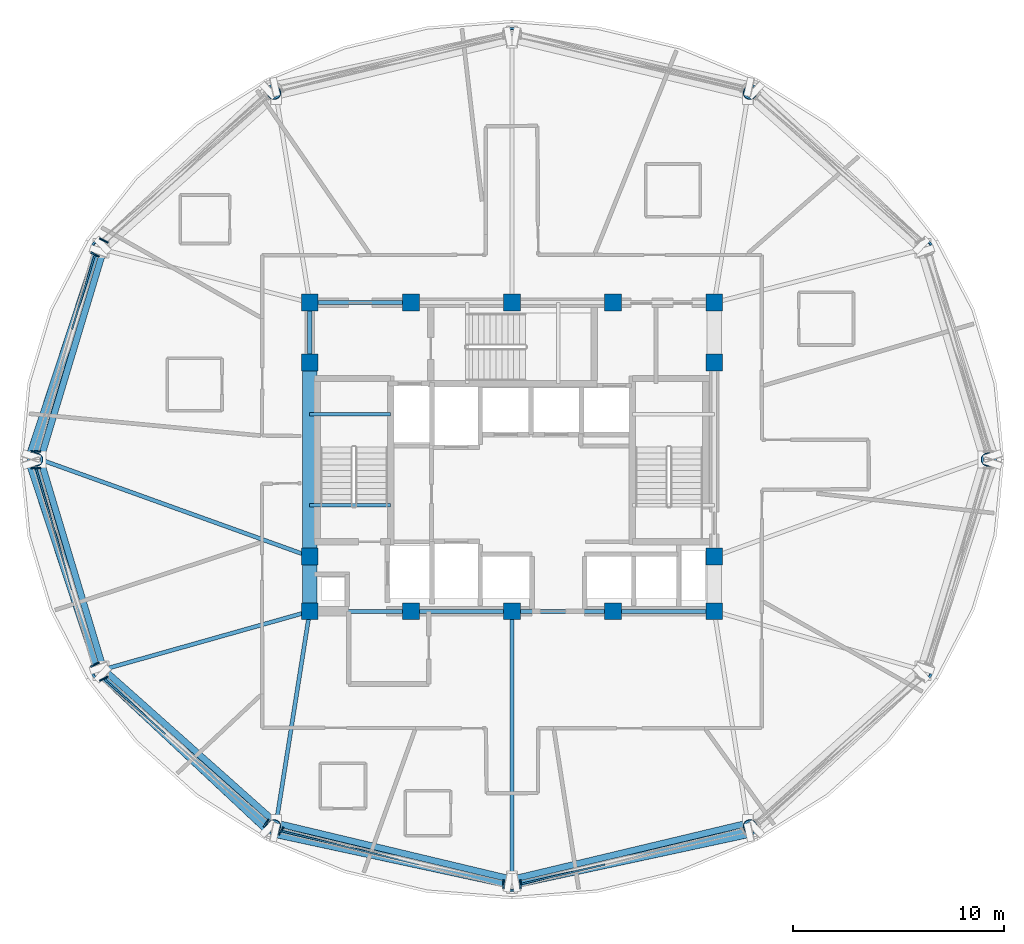
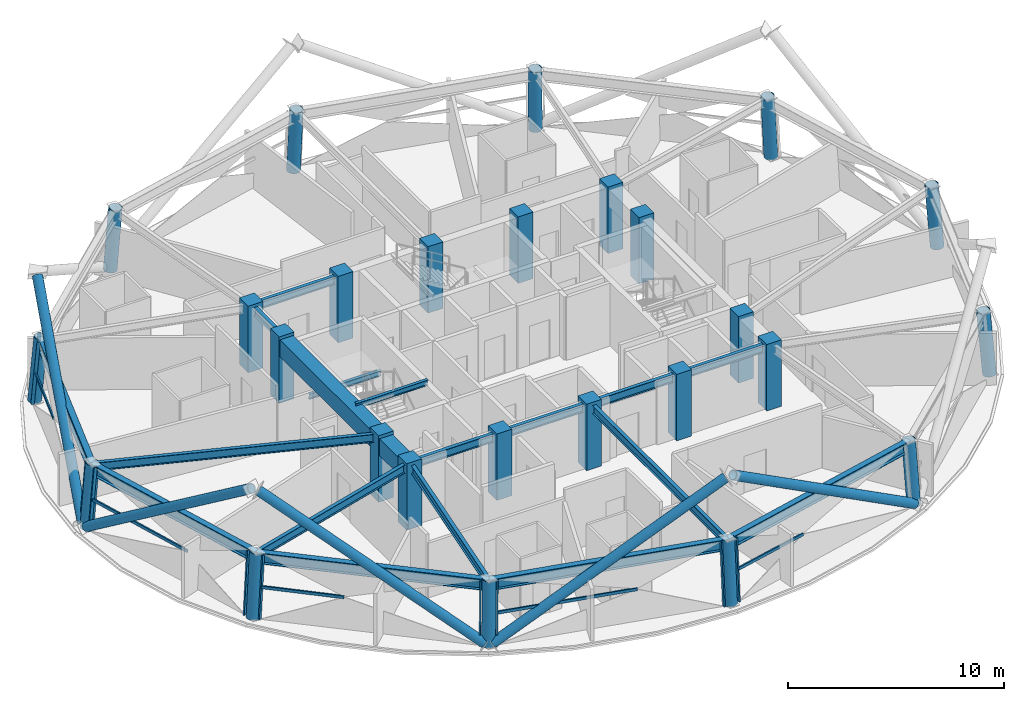
# One storey, part 1 of 12: 26 columns, 20 members, 19 beams, 6 elements without a shape of their own.
"""IFC4 building model written with IfcOpenShell, lengths in metres."""

from ifc_helpers import new_model, si_unit, direction, frame, origin, origin_2d, place, context, subcontext, project, spatial, rectangle, hollow_rectangle, hollow_circle, i_section, extrude, material, layer, layer_set, material_profile, profile_set, type_object, element, aggregate, save


model = new_model("IFC4")

# Units and contexts
model_context = context("Model", 3, precision=1e-05, world=origin(), true_north=direction((0.0, 1.0)))
body_context = subcontext(model_context, "Body", "Model", "MODEL_VIEW")
ifc_project = project(units=[si_unit("LENGTHUNIT", "METRE"), si_unit("AREAUNIT", "SQUARE_METRE"), si_unit("VOLUMEUNIT", "CUBIC_METRE"), si_unit("PLANEANGLEUNIT", "RADIAN"), si_unit("MASSUNIT", "GRAM", prefix="KILO")], contexts=[model_context])

# Site, building, storey
site_placement = place(None, origin())
site = spatial("IfcSite", under=ifc_project, at=site_placement, CompositionType="ELEMENT")
building_placement = place(site_placement, origin())
building = spatial("IfcBuilding", under=site, at=building_placement, Name="Vantalir Tower", CompositionType="ELEMENT")
storey_placement = place(building_placement, frame((0.0, 0.0, 197.39990234375)))
storey = spatial("IfcBuildingStorey", under=building, at=storey_placement, Name="L49", CompositionType="ELEMENT", Elevation=197.39990234375)

# Columns
ifc_material_1 = material(Name="Concrete C50/60", Category="concrete")
ifc_material_profile_1 = material_profile(ifc_material_1, rectangle(XDim=0.800048828125, YDim=0.800048828125, at=origin_2d()), Name="Concrete C50/60")
ifc_profile_set_1 = profile_set([ifc_material_profile_1], Name="Concrete C50/60")
column_type_1 = type_object("IfcColumnType", Name="COL-CC-800", PredefinedType="COLUMN", material=ifc_profile_set_1)
for number, where, z_axis, x_axis, name in (
    (1, (21.89990234375, 17.800048828125, 0.0), (0.0, 0.0, 1.0), (1.0, 0.0, 0.0), "L49 Core Column CC01"),
    (2, (26.699951171875, 17.800048828125, 0.0), (0.0, 0.0, 1.0), (1.0, 0.0, 0.0), "L49 Core Column CC02"),
    (3, (31.5, 17.800048828125, 0.0), (0.0, 0.0, 1.0), (1.0, 0.0, 0.0), "L49 Core Column CC03"),
    (4, (36.300048828125, 17.800048828125, 0.0), (0.0, 0.0, 1.0), (1.0, 0.0, 0.0), "L49 Core Column CC04"),
    (5, (41.10009765625, 17.800048828125, 0.0), (0.0, 0.0, 1.0), (1.0, 0.0, 0.0), "L49 Core Column CC05"),
    (6, (21.89990234375, 20.39990234375, 0.0), (0.0, 0.0, 1.0), (1.0, 0.0, 0.0), "L49 Core Column CC06"),
    (7, (21.89990234375, 29.60009765625, 0.0), (0.0, 0.0, 1.0), (1.0, 0.0, 0.0), "L49 Core Column CC07"),
    (8, (41.10009765625, 20.39990234375, 0.0), (0.0, 0.0, 1.0), (1.0, 0.0, 0.0), "L49 Core Column CC08"),
    (9, (41.10009765625, 29.60009765625, 0.0), (0.0, 0.0, 1.0), (1.0, 0.0, 0.0), "L49 Core Column CC09"),
    (10, (21.89990234375, 32.449951171875, 0.0), (0.0, 0.0, 1.0), (1.0, 0.0, 0.0), "L49 Core Column CC10"),
    (11, (26.699951171875, 32.449951171875, 0.0), (0.0, 0.0, 1.0), (1.0, 0.0, 0.0), "L49 Core Column CC11"),
    (12, (31.5, 32.449951171875, 0.0), (0.0, 0.0, 1.0), (1.0, 0.0, 0.0), "L49 Core Column CC12"),
    (13, (36.300048828125, 32.449951171875, 0.0), (0.0, 0.0, 1.0), (1.0, 0.0, 0.0), "L49 Core Column CC13"),
    (14, (41.10009765625, 32.449951171875, 0.0), (0.0, 0.0, 1.0), (1.0, 0.0, 0.0), "L49 Core Column CC14"),
):
    element("IfcColumn", number, at=place(storey_placement, frame(where, z_axis=z_axis, x_axis=x_axis)), inside=storey, type_object=column_type_1, Name=name, PredefinedType="COLUMN", context=body_context, shape_type="SweptSolid", body=[
        extrude(rectangle(XDim=0.800048828125, YDim=0.800048828125, at=origin_2d()), origin(), (0.0, 0.0, 1.0), 3.75),
    ])
ifc_material_2 = material(Name="Steel S460", Category="steel")
ifc_material_profile_2 = material_profile(ifc_material_2, hollow_circle(Radius=0.324951171875, WallThickness=0.030029296875, at=origin_2d()), Name="Steel S460")
ifc_profile_set_2 = profile_set([ifc_material_profile_2], Name="Steel S460")
column_type_2 = type_object("IfcColumnType", Name="COL-RC-650", PredefinedType="COLUMN", material=ifc_profile_set_2)
column_1_placement = place(storey_placement, frame((54.176025390625, 25.0, 0.0), z_axis=(-0.082058369714, 0.0, 0.996627525187), x_axis=(0.0, -1.0, 0.0)))
element("IfcColumn", 15, at=column_1_placement, inside=storey, type_object=column_type_2, Name="L49 Perimeter Ring Column RC01", PredefinedType="COLUMN", context=body_context, shape_type="SweptSolid", body=[
    extrude(hollow_circle(Radius=0.324951171875, WallThickness=0.030029296875, at=origin_2d()), origin(), (0.0, 0.0, 1.0), 3.58203125),
])
column_2_placement = place(storey_placement, frame((51.137939453125, 35.093994140625, 0.0), z_axis=(-0.071164677609, -0.036877481405, 0.996782644324), x_axis=(0.460093734226, -0.887870348489, 0.0)))
element("IfcColumn", 16, at=column_2_placement, inside=storey, type_object=column_type_2, Name="L49 Perimeter Ring Column RC02", PredefinedType="COLUMN", context=body_context, shape_type="SweptSolid", body=[
    extrude(hollow_circle(Radius=0.324951171875, WallThickness=0.030029296875, at=origin_2d()), origin(), (0.0, 0.0, 1.0), 3.58154296875),
])
column_3_placement = place(storey_placement, frame((42.837890625, 42.48291015625, 0.0), z_axis=(-0.04105056322, -0.063348792743, 0.997146820542), x_axis=(0.839206428349, -0.543812992321, 0.0)))
element("IfcColumn", 17, at=column_3_placement, inside=storey, type_object=column_type_2, Name="L49 Perimeter Ring Column RC03", PredefinedType="COLUMN", context=body_context, shape_type="SweptSolid", body=[
    extrude(hollow_circle(Radius=0.324951171875, WallThickness=0.030029296875, at=origin_2d()), origin(), (0.0, 0.0, 1.0), 3.580322265625),
])
column_4_placement = place(storey_placement, frame((31.5, 45.18798828125, 0.0), z_axis=(0.0, -0.073452147018, 0.997298742654), x_axis=(1.0, 0.0, 0.0)))
element("IfcColumn", 18, at=column_4_placement, inside=storey, type_object=column_type_2, Name="L49 Perimeter Ring Column RC04", PredefinedType="COLUMN", context=body_context, shape_type="SweptSolid", body=[
    extrude(hollow_circle(Radius=0.324951171875, WallThickness=0.030029296875, at=origin_2d()), origin(), (0.0, 0.0, 1.0), 3.579833984375),
])
column_5_placement = place(storey_placement, frame((20.162109375, 42.48291015625, 0.0), z_axis=(0.04105056322, -0.063348792743, 0.997146820542), x_axis=(0.839206428349, 0.543812992321, 0.0)))
element("IfcColumn", 19, at=column_5_placement, inside=storey, type_object=column_type_2, Name="L49 Perimeter Ring Column RC05", PredefinedType="COLUMN", context=body_context, shape_type="SweptSolid", body=[
    extrude(hollow_circle(Radius=0.324951171875, WallThickness=0.030029296875, at=origin_2d()), origin(), (0.0, 0.0, 1.0), 3.580322265625),
])
column_6_placement = place(storey_placement, frame((11.862060546875, 35.093994140625, 0.0), z_axis=(0.071164677609, -0.036877481405, 0.996782644324), x_axis=(0.460093734226, 0.887870348489, 0.0)))
element("IfcColumn", 20, at=column_6_placement, inside=storey, type_object=column_type_2, Name="L49 Perimeter Ring Column RC06", PredefinedType="COLUMN", context=body_context, shape_type="SweptSolid", body=[
    extrude(hollow_circle(Radius=0.324951171875, WallThickness=0.030029296875, at=origin_2d()), origin(), (0.0, 0.0, 1.0), 3.58154296875),
])
column_7_placement = place(storey_placement, frame((8.823974609375, 25.0, 0.0), z_axis=(0.082058369714, 0.0, 0.996627525187), x_axis=(0.0, 1.0, 0.0)))
element("IfcColumn", 21, at=column_7_placement, inside=storey, type_object=column_type_2, Name="L49 Perimeter Ring Column RC07", PredefinedType="COLUMN", context=body_context, shape_type="SweptSolid", body=[
    extrude(hollow_circle(Radius=0.324951171875, WallThickness=0.030029296875, at=origin_2d()), origin(), (0.0, 0.0, 1.0), 3.58203125),
])
column_8_placement = place(storey_placement, frame((11.862060546875, 14.906005859375, 0.0), z_axis=(0.07116539054, 0.036605186514, 0.996792630144), x_axis=(-0.457405750119, 0.889258106377, 0.0)))
element("IfcColumn", 22, at=column_8_placement, inside=storey, type_object=column_type_2, Name="L49 Perimeter Ring Column RC08", PredefinedType="COLUMN", context=body_context, shape_type="SweptSolid", body=[
    extrude(hollow_circle(Radius=0.324951171875, WallThickness=0.030029296875, at=origin_2d()), origin(), (0.0, 0.0, 1.0), 3.58154296875),
])
column_9_placement = place(storey_placement, frame((20.162109375, 7.51708984375, 0.0), z_axis=(0.04105056322, 0.063348792743, 0.997146820542), x_axis=(-0.839206428349, 0.543812992321, 0.0)))
element("IfcColumn", 23, at=column_9_placement, inside=storey, type_object=column_type_2, Name="L49 Perimeter Ring Column RC09", PredefinedType="COLUMN", context=body_context, shape_type="SweptSolid", body=[
    extrude(hollow_circle(Radius=0.324951171875, WallThickness=0.030029296875, at=origin_2d()), origin(), (0.0, 0.0, 1.0), 3.580322265625),
])
column_10_placement = place(storey_placement, frame((31.5, 4.81201171875, 0.0), z_axis=(0.0, 0.073452147018, 0.997298742654), x_axis=(-1.0, 0.0, 0.0)))
element("IfcColumn", 24, at=column_10_placement, inside=storey, type_object=column_type_2, Name="L49 Perimeter Ring Column RC10", PredefinedType="COLUMN", context=body_context, shape_type="SweptSolid", body=[
    extrude(hollow_circle(Radius=0.324951171875, WallThickness=0.030029296875, at=origin_2d()), origin(), (0.0, 0.0, 1.0), 3.579833984375),
])
column_11_placement = place(storey_placement, frame((42.837890625, 7.51708984375, 0.0), z_axis=(-0.04105056322, 0.063348792743, 0.997146820542), x_axis=(-0.839206428349, -0.543812992321, 0.0)))
element("IfcColumn", 25, at=column_11_placement, inside=storey, type_object=column_type_2, Name="L49 Perimeter Ring Column RC11", PredefinedType="COLUMN", context=body_context, shape_type="SweptSolid", body=[
    extrude(hollow_circle(Radius=0.324951171875, WallThickness=0.030029296875, at=origin_2d()), origin(), (0.0, 0.0, 1.0), 3.580322265625),
])
column_12_placement = place(storey_placement, frame((51.137939453125, 14.906005859375, 0.0), z_axis=(-0.07116539054, 0.036605186514, 0.996792630144), x_axis=(-0.457405750119, -0.889258106377, 0.0)))
element("IfcColumn", 26, at=column_12_placement, inside=storey, type_object=column_type_2, Name="L49 Perimeter Ring Column RC12", PredefinedType="COLUMN", context=body_context, shape_type="SweptSolid", body=[
    extrude(hollow_circle(Radius=0.324951171875, WallThickness=0.030029296875, at=origin_2d()), origin(), (0.0, 0.0, 1.0), 3.58154296875),
])

# Beams
ifc_material_3 = material(Name="Concrete C60/75", Category="concrete")
ifc_material_profile_3 = material_profile(ifc_material_3, rectangle(XDim=0.699951171875, YDim=0.949951171875, at=origin_2d()), Name="Concrete C60/75")
ifc_profile_set_3 = profile_set([ifc_material_profile_3], Name="Concrete C60/75")
beam_type_1 = type_object("IfcBeamType", Name="BM-CB-700x950", PredefinedType="USERDEFINED", material=ifc_profile_set_3)
beam_1_placement = place(storey_placement, frame((21.89990234375, 29.60009765625, 3.09521484375), z_axis=(0.0, -1.0, 0.0), x_axis=(1.0, 0.0, 0.0)))
element("IfcBeam", 27, at=beam_1_placement, inside=storey, type_object=beam_type_1, Name="L49 Core Coupling Girder 13", ObjectType="GIRDER", PredefinedType="USERDEFINED", context=body_context, shape_type="SweptSolid", body=[
    extrude(rectangle(XDim=0.699951171875, YDim=0.949951171875, at=origin_2d()), origin(), (0.0, 0.0, 1.0), 9.2001953125),
])
beam_2_placement = place(storey_placement, frame((21.89990234375, 20.39990234375, 3.09521484375), z_axis=(0.0, -1.0, 0.0), x_axis=(1.0, 0.0, 0.0)))
element("IfcBeam", 28, at=beam_2_placement, inside=storey, type_object=beam_type_1, Name="L49 Core Coupling Girder 14", ObjectType="GIRDER", PredefinedType="USERDEFINED", context=body_context, shape_type="SweptSolid", body=[
    extrude(rectangle(XDim=0.699951171875, YDim=0.949951171875, at=origin_2d()), origin(), (0.0, 0.0, 1.0), 2.599853515625),
])
ifc_material_4 = material(Name="Steel S355", Category="steel")
ifc_material_profile_4 = material_profile(ifc_material_4, i_section(OverallWidth=0.166015625, OverallDepth=0.306884765625, WebThickness=0.006591796875, FlangeThickness=0.01171875, at=origin_2d()), Name="Steel S355")
ifc_profile_set_4 = profile_set([ifc_material_profile_4], Name="Steel S355")
beam_type_2 = type_object("IfcBeamType", Name="BM-JS-305x165", PredefinedType="JOIST", material=ifc_profile_set_4)
for number, where, z_axis, x_axis, name in (
    (29, (21.89990234375, 22.8349609375, 3.59619140625), (1.0, 0.0, 0.0), (0.0, 1.0, 0.0), "L50 Stair ST1 Well Nosing Trimmer Beam"),
    (30, (21.89990234375, 27.14501953125, 1.52099609375), (1.0, 0.0, 0.0), (0.0, 1.0, 0.0), "L49 Stair ST1 Half-Landing Support Beam"),
):
    element("IfcBeam", number, at=place(storey_placement, frame(where, z_axis=z_axis, x_axis=x_axis)), inside=storey, type_object=beam_type_2, Name=name, PredefinedType="JOIST", context=body_context, shape_type="SweptSolid", body=[
        extrude(i_section(OverallWidth=0.166015625, OverallDepth=0.306884765625, WebThickness=0.006591796875, FlangeThickness=0.01171875, at=origin_2d()), origin(), (0.0, 0.0, 1.0), 3.840087890625),
    ])
ifc_material_profile_5 = material_profile(ifc_material_4, i_section(OverallWidth=0.19189453125, OverallDepth=0.462890625, WebThickness=0.010498046875, FlangeThickness=0.017578125, at=origin_2d()), Name="Steel S355")
ifc_profile_set_5 = profile_set([ifc_material_profile_5], Name="Steel S355")
beam_type_3 = type_object("IfcBeamType", Name="BM-RB-457x191", PredefinedType="BEAM", material=ifc_profile_set_5)
for number, where, z_axis, x_axis, name in (
    (31, (21.89990234375, 17.800048828125, 3.338134765625), (1.0, 0.0, 0.0), (0.0, 1.0, 0.0), "L49 Core Coupling Girder 01"),
    (32, (26.699951171875, 17.800048828125, 3.338134765625), (1.0, 0.0, 0.0), (0.0, 1.0, 0.0), "L49 Core Coupling Girder 02"),
    (33, (31.5, 17.800048828125, 3.338134765625), (1.0, 0.0, 0.0), (0.0, 1.0, 0.0), "L49 Core Coupling Girder 03"),
    (34, (36.300048828125, 17.800048828125, 3.338134765625), (1.0, 0.0, 0.0), (0.0, 1.0, 0.0), "L49 Core Coupling Girder 04"),
    (35, (26.699951171875, 32.449951171875, 3.338134765625), (-1.0, 0.0, 0.0), (0.0, -1.0, 0.0), "L49 Core Coupling Girder 11"),
):
    element("IfcBeam", number, at=place(storey_placement, frame(where, z_axis=z_axis, x_axis=x_axis)), inside=storey, type_object=beam_type_3, Name=name, PredefinedType="BEAM", context=body_context, shape_type="SweptSolid", body=[
        extrude(i_section(OverallWidth=0.19189453125, OverallDepth=0.462890625, WebThickness=0.010498046875, FlangeThickness=0.017578125, at=origin_2d()), origin(), (0.0, 0.0, 1.0), 4.800048828125),
    ])
beam_3_placement = place(storey_placement, frame((21.89990234375, 32.449951171875, 3.338134765625), z_axis=(0.0, -1.0, 0.0), x_axis=(1.0, 0.0, 0.0)))
element("IfcBeam", 36, at=beam_3_placement, inside=storey, type_object=beam_type_3, Name="L49 Core Coupling Girder 12", PredefinedType="BEAM", context=body_context, shape_type="SweptSolid", body=[
    extrude(i_section(OverallWidth=0.19189453125, OverallDepth=0.462890625, WebThickness=0.010498046875, FlangeThickness=0.017578125, at=origin_2d()), origin(), (0.0, 0.0, 1.0), 2.849853515625),
])
beam_4_placement = place(storey_placement, frame((9.117919921875, 25.0, 3.338134765625), z_axis=(0.940920627421, -0.338627188652, 0.0), x_axis=(0.338627188652, 0.940920627421, 0.0)))
element("IfcBeam", 37, at=beam_4_placement, inside=storey, type_object=beam_type_3, Name="L49 Radial Floor Beam 07", PredefinedType="BEAM", context=body_context, shape_type="SweptSolid", body=[
    extrude(i_section(OverallWidth=0.19189453125, OverallDepth=0.462890625, WebThickness=0.010498046875, FlangeThickness=0.017578125, at=origin_2d()), origin(), (0.0, 0.0, 1.0), 13.58447265625),
])
beam_5_placement = place(storey_placement, frame((12.116943359375, 15.037109375, 3.338134765625), z_axis=(0.962355981601, 0.271792135055, 0.0), x_axis=(-0.271792135055, 0.962355981601, 0.0)))
element("IfcBeam", 38, at=beam_5_placement, inside=storey, type_object=beam_type_3, Name="L49 Radial Floor Beam 08", PredefinedType="BEAM", context=body_context, shape_type="SweptSolid", body=[
    extrude(i_section(OverallWidth=0.19189453125, OverallDepth=0.462890625, WebThickness=0.010498046875, FlangeThickness=0.017578125, at=origin_2d()), origin(), (0.0, 0.0, 1.0), 10.16552734375),
])
beam_6_placement = place(storey_placement, frame((20.30908203125, 7.743896484375, 3.338134765625), z_axis=(0.156250710225, 0.987717426977, 0.0), x_axis=(-0.987717426977, 0.156250710225, 0.0)))
element("IfcBeam", 39, at=beam_6_placement, inside=storey, type_object=beam_type_3, Name="L49 Radial Floor Beam 09", PredefinedType="BEAM", context=body_context, shape_type="SweptSolid", body=[
    extrude(i_section(OverallWidth=0.19189453125, OverallDepth=0.462890625, WebThickness=0.010498046875, FlangeThickness=0.017578125, at=origin_2d()), origin(), (0.0, 0.0, 1.0), 10.18115234375),
])
beam_7_placement = place(storey_placement, frame((31.5, 5.074951171875, 3.338134765625), z_axis=(0.0, 1.0, 0.0), x_axis=(-1.0, 0.0, 0.0)))
element("IfcBeam", 40, at=beam_7_placement, inside=storey, type_object=beam_type_3, Name="L49 Radial Floor Beam 10", PredefinedType="BEAM", context=body_context, shape_type="SweptSolid", body=[
    extrude(i_section(OverallWidth=0.19189453125, OverallDepth=0.462890625, WebThickness=0.010498046875, FlangeThickness=0.017578125, at=origin_2d()), origin(), (0.0, 0.0, 1.0), 12.72509765625),
])
ifc_material_profile_6 = material_profile(ifc_material_2, i_section(OverallWidth=0.306884765625, OverallDepth=0.6201171875, WebThickness=0.01416015625, FlangeThickness=0.023681640625, at=origin_2d()), Name="Steel S460")
ifc_profile_set_6 = profile_set([ifc_material_profile_6], Name="Steel S460")
beam_type_4 = type_object("IfcBeamType", Name="BM-RG-610x305", PredefinedType="USERDEFINED", material=ifc_profile_set_6)
beam_8_placement = place(storey_placement, frame((12.116943359375, 34.9619140625, 3.260009765625), z_axis=(-0.288269210973, -0.957549404472, 0.0), x_axis=(0.957549404472, -0.288269210973, 0.0)))
element("IfcBeam", 41, at=beam_8_placement, inside=storey, type_object=beam_type_4, Name="L49 Circumferential Ring Girder 06", ObjectType="GIRDER", PredefinedType="USERDEFINED", context=body_context, shape_type="SweptSolid", body=[
    extrude(i_section(OverallWidth=0.306884765625, OverallDepth=0.6201171875, WebThickness=0.01416015625, FlangeThickness=0.023681640625, at=origin_2d()), origin(), (0.0, 0.0, 1.0), 10.403564453125),
])
beam_9_placement = place(storey_placement, frame((9.117919921875, 25.0, 3.260009765625), z_axis=(0.288243302571, -0.957557203786, 0.0), x_axis=(0.957557203786, 0.288243302571, 0.0)))
element("IfcBeam", 42, at=beam_9_placement, inside=storey, type_object=beam_type_4, Name="L49 Circumferential Ring Girder 07", ObjectType="GIRDER", PredefinedType="USERDEFINED", context=body_context, shape_type="SweptSolid", body=[
    extrude(i_section(OverallWidth=0.306884765625, OverallDepth=0.6201171875, WebThickness=0.01416015625, FlangeThickness=0.023681640625, at=origin_2d()), origin(), (0.0, 0.0, 1.0), 10.404541015625),
])
beam_10_placement = place(storey_placement, frame((12.116943359375, 15.037109375, 3.260009765625), z_axis=(0.746896988705, -0.664939762884, 0.0), x_axis=(0.664939762884, 0.746896988705, 0.0)))
element("IfcBeam", 43, at=beam_10_placement, inside=storey, type_object=beam_type_4, Name="L49 Circumferential Ring Girder 08", ObjectType="GIRDER", PredefinedType="USERDEFINED", context=body_context, shape_type="SweptSolid", body=[
    extrude(i_section(OverallWidth=0.306884765625, OverallDepth=0.6201171875, WebThickness=0.01416015625, FlangeThickness=0.023681640625, at=origin_2d()), origin(), (0.0, 0.0, 1.0), 10.96826171875),
])
for number, where, z_axis, x_axis, name in (
    (44, (20.30908203125, 7.743896484375, 3.260009765625), (0.972719168126, -0.231985818447, 0.0), (0.231985818447, 0.972719168126, 0.0), "L49 Circumferential Ring Girder 09"),
    (45, (31.5, 5.074951171875, 3.260009765625), (0.972719168126, 0.231985818447, 0.0), (-0.231985818447, 0.972719168126, 0.0), "L49 Circumferential Ring Girder 10"),
):
    element("IfcBeam", number, at=place(storey_placement, frame(where, z_axis=z_axis, x_axis=x_axis)), inside=storey, type_object=beam_type_4, Name=name, ObjectType="GIRDER", PredefinedType="USERDEFINED", context=body_context, shape_type="SweptSolid", body=[
        extrude(i_section(OverallWidth=0.306884765625, OverallDepth=0.6201171875, WebThickness=0.01416015625, FlangeThickness=0.023681640625, at=origin_2d()), origin(), (0.0, 0.0, 1.0), 11.5048828125),
    ])

# Curtain wall, member
ifc_material_5 = material(Name="Champagne-silver PVDF aluminium and double-silver Low-E glass", Category="aluminium")
ifc_layer = layer(ifc_material_5, 0.2099609375)
ifc_layer_set = layer_set([ifc_layer], Name="Champagne-silver PVDF aluminium and double-silver Low-E glass")
curtain_wall_type = type_object("IfcCurtainWallType", Name="CW-DIAMOND-Z3", PredefinedType="USERDEFINED", material=ifc_layer_set)
curtain_wall_1_placement = place(storey_placement, origin())
curtain_wall_1 = element("IfcCurtainWall", 46, at=curtain_wall_1_placement, inside=storey, type_object=curtain_wall_type, Name="L49 Quilted Pyramid-Diamond Curtain Wall S05", ObjectType="UNITISED CURTAIN WALL", PredefinedType="USERDEFINED")
ifc_material_6 = material(Name="Champagne-silver PVDF aluminium 6063-T6", Category="aluminium")
ifc_material_profile_7 = material_profile(ifc_material_6, hollow_rectangle(XDim=0.070068359375, YDim=0.1650390625, WallThickness=0.00390625, at=origin_2d()), Name="Champagne-silver PVDF aluminium 6063-T6")
ifc_profile_set_7 = profile_set([ifc_material_profile_7], Name="Champagne-silver PVDF aluminium 6063-T6")
member_type_1 = type_object("IfcMemberType", Name="CWM-165x70", PredefinedType="MULLION", material=ifc_profile_set_7)
member_1_placement = place(storey_placement, frame((12.0029296875, 35.4619140625, 0.045166015625), z_axis=(0.073065162101, -0.037476485058, 0.99662279482), x_axis=(0.45638579182, 0.889782000843, 0.0)))
member_1 = element("IfcMember", 47, at=member_1_placement, type_object=member_type_1, Name="CW-L49-S05 Mullion 2", PredefinedType="MULLION", context=body_context, shape_type="SweptSolid", body=[
    extrude(hollow_rectangle(XDim=0.070068359375, YDim=0.1650390625, WallThickness=0.00390625, at=origin_2d()), origin(), (0.0, 0.0, 1.0), 3.49169921875),
])
aggregate(curtain_wall_1, [member_1])

# Curtain wall, members
curtain_wall_2_placement = place(storey_placement, origin())
curtain_wall_2 = element("IfcCurtainWall", 48, at=curtain_wall_2_placement, inside=storey, type_object=curtain_wall_type, Name="L49 Quilted Pyramid-Diamond Curtain Wall S06", ObjectType="UNITISED CURTAIN WALL", PredefinedType="USERDEFINED")
member_2_placement = place(storey_placement, frame((11.5791015625, 34.7958984375, 0.045166015625), z_axis=(0.072995616016, -0.037476676422, 0.9966278838), x_axis=(0.456731786055, 0.889604448958, 0.0)))
member_2 = element("IfcMember", 49, at=member_2_placement, type_object=member_type_1, Name="CW-L49-S06 Mullion 1", PredefinedType="MULLION", context=body_context, shape_type="SweptSolid", body=[
    extrude(hollow_rectangle(XDim=0.070068359375, YDim=0.1650390625, WallThickness=0.00390625, at=origin_2d()), origin(), (0.0, 0.0, 1.0), 3.49169921875),
])
member_3_placement = place(storey_placement, frame((8.751953125, 25.39306640625, 0.045166015625), z_axis=(0.084167792988, 0.0, 0.996451595725), x_axis=(0.0, 1.0, 0.0)))
member_3 = element("IfcMember", 50, at=member_3_placement, type_object=member_type_1, Name="CW-L49-S06 Mullion 2", PredefinedType="MULLION", context=body_context, shape_type="SweptSolid", body=[
    extrude(hollow_rectangle(XDim=0.070068359375, YDim=0.1650390625, WallThickness=0.00390625, at=origin_2d()), origin(), (0.0, 0.0, 1.0), 3.492431640625),
])

curtain_wall_3_placement = place(storey_placement, origin())
curtain_wall_3 = element("IfcCurtainWall", 51, at=curtain_wall_3_placement, inside=storey, type_object=curtain_wall_type, Name="L49 Quilted Pyramid-Diamond Curtain Wall S07", ObjectType="UNITISED CURTAIN WALL", PredefinedType="USERDEFINED")
member_4_placement = place(storey_placement, frame((8.751953125, 24.60693359375, 0.045166015625), z_axis=(0.084167792988, 0.0, 0.996451595725), x_axis=(0.0, 1.0, 0.0)))
member_4 = element("IfcMember", 52, at=member_4_placement, type_object=member_type_1, Name="CW-L49-S07 Mullion 1", PredefinedType="MULLION", context=body_context, shape_type="SweptSolid", body=[
    extrude(hollow_rectangle(XDim=0.070068359375, YDim=0.1650390625, WallThickness=0.00390625, at=origin_2d()), origin(), (0.0, 0.0, 1.0), 3.492431640625),
])
member_5_placement = place(storey_placement, frame((11.5791015625, 15.2041015625, 0.045166015625), z_axis=(0.072995616016, 0.037476676422, 0.9966278838), x_axis=(-0.456731786055, 0.889604448958, 0.0)))
member_5 = element("IfcMember", 53, at=member_5_placement, type_object=member_type_1, Name="CW-L49-S07 Mullion 2", PredefinedType="MULLION", context=body_context, shape_type="SweptSolid", body=[
    extrude(hollow_rectangle(XDim=0.070068359375, YDim=0.1650390625, WallThickness=0.00390625, at=origin_2d()), origin(), (0.0, 0.0, 1.0), 3.49169921875),
])

curtain_wall_4_placement = place(storey_placement, origin())
curtain_wall_4 = element("IfcCurtainWall", 54, at=curtain_wall_4_placement, inside=storey, type_object=curtain_wall_type, Name="L49 Quilted Pyramid-Diamond Curtain Wall S08", ObjectType="UNITISED CURTAIN WALL", PredefinedType="USERDEFINED")
member_6_placement = place(storey_placement, frame((12.0029296875, 14.5380859375, 0.045166015625), z_axis=(0.073065162101, 0.037476485058, 0.99662279482), x_axis=(-0.45638579182, 0.889782000843, 0.0)))
member_6 = element("IfcMember", 55, at=member_6_placement, type_object=member_type_1, Name="CW-L49-S08 Mullion 1", PredefinedType="MULLION", context=body_context, shape_type="SweptSolid", body=[
    extrude(hollow_rectangle(XDim=0.070068359375, YDim=0.1650390625, WallThickness=0.00390625, at=origin_2d()), origin(), (0.0, 0.0, 1.0), 3.49169921875),
])
member_7_placement = place(storey_placement, frame((19.760986328125, 7.625, 0.045166015625), z_axis=(0.042106007806, 0.06532726128, 0.996975141636), x_axis=(-0.840534608951, 0.541757852879, 0.0)))
member_7 = element("IfcMember", 56, at=member_7_placement, type_object=member_type_1, Name="CW-L49-S08 Mullion 2", PredefinedType="MULLION", context=body_context, shape_type="SweptSolid", body=[
    extrude(hollow_rectangle(XDim=0.070068359375, YDim=0.1650390625, WallThickness=0.00390625, at=origin_2d()), origin(), (0.0, 0.0, 1.0), 3.490478515625),
])

curtain_wall_5_placement = place(storey_placement, origin())
curtain_wall_5 = element("IfcCurtainWall", 57, at=curtain_wall_5_placement, inside=storey, type_object=curtain_wall_type, Name="L49 Quilted Pyramid-Diamond Curtain Wall S09", ObjectType="UNITISED CURTAIN WALL", PredefinedType="USERDEFINED")
member_8_placement = place(storey_placement, frame((20.466064453125, 7.257080078125, 0.045166015625), z_axis=(0.042106007806, 0.06532726128, 0.996975141636), x_axis=(-0.840534608951, 0.541757852879, 0.0)))
member_8 = element("IfcMember", 58, at=member_8_placement, type_object=member_type_1, Name="CW-L49-S09 Mullion 1", PredefinedType="MULLION", context=body_context, shape_type="SweptSolid", body=[
    extrude(hollow_rectangle(XDim=0.070068359375, YDim=0.1650390625, WallThickness=0.00390625, at=origin_2d()), origin(), (0.0, 0.0, 1.0), 3.490478515625),
])
member_9_placement = place(storey_placement, frame((31.10107421875, 4.717041015625, 0.045166015625), z_axis=(0.0, 0.075342978786, 0.997157678378), x_axis=(-1.0, 0.0, 0.0)))
member_9 = element("IfcMember", 59, at=member_9_placement, type_object=member_type_1, Name="CW-L49-S09 Mullion 2", PredefinedType="MULLION", context=body_context, shape_type="SweptSolid", body=[
    extrude(hollow_rectangle(XDim=0.070068359375, YDim=0.1650390625, WallThickness=0.00390625, at=origin_2d()), origin(), (0.0, 0.0, 1.0), 3.489990234375),
])

# Curtain wall, member
curtain_wall_6_placement = place(storey_placement, origin())
curtain_wall_6 = element("IfcCurtainWall", 60, at=curtain_wall_6_placement, inside=storey, type_object=curtain_wall_type, Name="L49 Quilted Pyramid-Diamond Curtain Wall S10", ObjectType="UNITISED CURTAIN WALL", PredefinedType="USERDEFINED")
member_10_placement = place(storey_placement, frame((31.89892578125, 4.717041015625, 0.045166015625), z_axis=(0.0, 0.075342978786, 0.997157678378), x_axis=(-1.0, 0.0, 0.0)))
member_10 = element("IfcMember", 61, at=member_10_placement, type_object=member_type_1, Name="CW-L49-S10 Mullion 1", PredefinedType="MULLION", context=body_context, shape_type="SweptSolid", body=[
    extrude(hollow_rectangle(XDim=0.070068359375, YDim=0.1650390625, WallThickness=0.00390625, at=origin_2d()), origin(), (0.0, 0.0, 1.0), 3.489990234375),
])

# Member
ifc_material_profile_8 = material_profile(ifc_material_6, hollow_rectangle(XDim=0.074951171875, YDim=0.159912109375, WallThickness=0.00390625, at=origin_2d()), Name="Champagne-silver PVDF aluminium 6063-T6")
ifc_profile_set_8 = profile_set([ifc_material_profile_8], Name="Champagne-silver PVDF aluminium 6063-T6")
member_type_2 = type_object("IfcMemberType", Name="CWT-160x75", PredefinedType="USERDEFINED", material=ifc_profile_set_8)
member_11_placement = place(storey_placement, frame((11.7060546875, 34.73095703125, 1.78515625), z_axis=(-0.293905287805, -0.955834547294, 0.0), x_axis=(0.955834547294, -0.293905287805, 0.0)))
member_11 = element("IfcMember", 62, at=member_11_placement, type_object=member_type_2, Name="CW-L49-S06 Pyramid Fold Ridge Transom", ObjectType="TRANSOM", PredefinedType="USERDEFINED", context=body_context, shape_type="SweptSolid", body=[
    extrude(hollow_rectangle(XDim=0.074951171875, YDim=0.159912109375, WallThickness=0.00390625, at=origin_2d()), origin(), (0.0, 0.0, 1.0), 3.70556640625),
])

aggregate(curtain_wall_2, [member_2, member_3, member_11])

member_12_placement = place(storey_placement, frame((8.89892578125, 24.60693359375, 1.78515625), z_axis=(0.284196957809, -0.958765919906, 0.0), x_axis=(0.958765919906, 0.284196957809, 0.0)))
member_12 = element("IfcMember", 63, at=member_12_placement, type_object=member_type_2, Name="CW-L49-S07 Pyramid Fold Ridge Transom", ObjectType="TRANSOM", PredefinedType="USERDEFINED", context=body_context, shape_type="SweptSolid", body=[
    extrude(hollow_rectangle(XDim=0.074951171875, YDim=0.159912109375, WallThickness=0.00390625, at=origin_2d()), origin(), (0.0, 0.0, 1.0), 6.045166015625),
])

aggregate(curtain_wall_3, [member_4, member_5, member_12])

member_13_placement = place(storey_placement, frame((12.131103515625, 14.60400390625, 1.78515625), z_axis=(0.742422606468, -0.669931842358, 0.0), x_axis=(0.669931842358, 0.742422606468, 0.0)))
member_13 = element("IfcMember", 64, at=member_13_placement, type_object=member_type_2, Name="CW-L49-S08 Pyramid Fold Ridge Transom", ObjectType="TRANSOM", PredefinedType="USERDEFINED", context=body_context, shape_type="SweptSolid", body=[
    extrude(hollow_rectangle(XDim=0.074951171875, YDim=0.159912109375, WallThickness=0.00390625, at=origin_2d()), origin(), (0.0, 0.0, 1.0), 3.916748046875),
])

aggregate(curtain_wall_4, [member_6, member_7, member_13])

member_14_placement = place(storey_placement, frame((20.5390625, 7.37109375, 1.78515625), z_axis=(0.971816633119, -0.235738057161, 0.0), x_axis=(0.235738057161, 0.971816633119, 0.0)))
member_14 = element("IfcMember", 65, at=member_14_placement, type_object=member_type_2, Name="CW-L49-S09 Pyramid Fold Ridge Transom", ObjectType="TRANSOM", PredefinedType="USERDEFINED", context=body_context, shape_type="SweptSolid", body=[
    extrude(hollow_rectangle(XDim=0.074951171875, YDim=0.159912109375, WallThickness=0.00390625, at=origin_2d()), origin(), (0.0, 0.0, 1.0), 6.732666015625),
])

aggregate(curtain_wall_5, [member_8, member_9, member_14])

member_15_placement = place(storey_placement, frame((31.89892578125, 4.84912109375, 1.78515625), z_axis=(0.973999829906, 0.226548739443, 0.0), x_axis=(-0.226548739443, 0.973999829906, 0.0)))
member_15 = element("IfcMember", 66, at=member_15_placement, type_object=member_type_2, Name="CW-L49-S10 Pyramid Fold Ridge Transom", ObjectType="TRANSOM", PredefinedType="USERDEFINED", context=body_context, shape_type="SweptSolid", body=[
    extrude(hollow_rectangle(XDim=0.074951171875, YDim=0.159912109375, WallThickness=0.00390625, at=origin_2d()), origin(), (0.0, 0.0, 1.0), 4.126220703125),
])

aggregate(curtain_wall_6, [member_10, member_15])

# Members
ifc_material_profile_9 = material_profile(ifc_material_2, hollow_circle(Radius=0.25, WallThickness=0.031982421875, at=origin_2d()), Name="Steel S460")
ifc_profile_set_9 = profile_set([ifc_material_profile_9], Name="Steel S460")
member_type_3 = type_object("IfcMemberType", Name="MEM-DB-500x32", PredefinedType="BRACE", material=ifc_profile_set_9)
for number, where, z_axis, x_axis, name in (
    (67, (8.69091796875, 24.826904296875, 0.203125), (0.259552652624, -0.786726952255, 0.560083139464), (0.949652800921, 0.313304257398, 0.0), "L49 Perimeter S460 Diagrid Brace R19L"),
    (68, (8.69091796875, 25.173095703125, 0.203125), (0.259552652624, 0.786726952255, 0.560083139464), (-0.949652800921, 0.313304257398, 0.0), "L49 Perimeter S460 Diagrid Brace R19R"),
):
    element("IfcMember", number, at=place(storey_placement, frame(where, z_axis=z_axis, x_axis=x_axis)), inside=storey, type_object=member_type_3, Name=name, PredefinedType="BRACE", context=body_context, shape_type="SweptSolid", body=[
        extrude(hollow_circle(Radius=0.25, WallThickness=0.031982421875, at=origin_2d()), origin(), (0.0, 0.0, 1.0), 12.3447265625),
    ])
member_16_placement = place(storey_placement, frame((20.25, 7.31201171875, 0.195068359375), z_axis=(0.83373043371, -0.179823129283, 0.522070116057), x_axis=(0.210836660138, 0.977521305518, 0.0)))
element("IfcMember", 69, at=member_16_placement, inside=storey, type_object=member_type_3, Name="L49 Perimeter S460 Diagrid Brace R25L", PredefinedType="BRACE", context=body_context, shape_type="SweptSolid", body=[
    extrude(hollow_circle(Radius=0.25, WallThickness=0.031982421875, at=origin_2d()), origin(), (0.0, 0.0, 1.0), 13.27392578125),
])
member_17_placement = place(storey_placement, frame((19.931884765625, 7.47802734375, 0.19921875), z_axis=(-0.613899800339, 0.57421879062, 0.541663932381), x_axis=(-0.683109817487, -0.730315669593, 0.0)))
element("IfcMember", 70, at=member_17_placement, inside=storey, type_object=member_type_3, Name="L49 Perimeter S460 Diagrid Brace R25R", PredefinedType="BRACE", context=body_context, shape_type="SweptSolid", body=[
    extrude(hollow_circle(Radius=0.25, WallThickness=0.031982421875, at=origin_2d()), origin(), (0.0, 0.0, 1.0), 12.77880859375),
])
member_18_placement = place(storey_placement, frame((42.75, 7.31201171875, 0.195068359375), z_axis=(-0.83373043371, -0.179823129283, 0.522070116057), x_axis=(0.210836660138, -0.977521305518, 0.0)))
element("IfcMember", 71, at=member_18_placement, inside=storey, type_object=member_type_3, Name="L49 Perimeter S460 Diagrid Brace R31R", PredefinedType="BRACE", context=body_context, shape_type="SweptSolid", body=[
    extrude(hollow_circle(Radius=0.25, WallThickness=0.031982421875, at=origin_2d()), origin(), (0.0, 0.0, 1.0), 13.27392578125),
])

save(model, "model.ifc")
